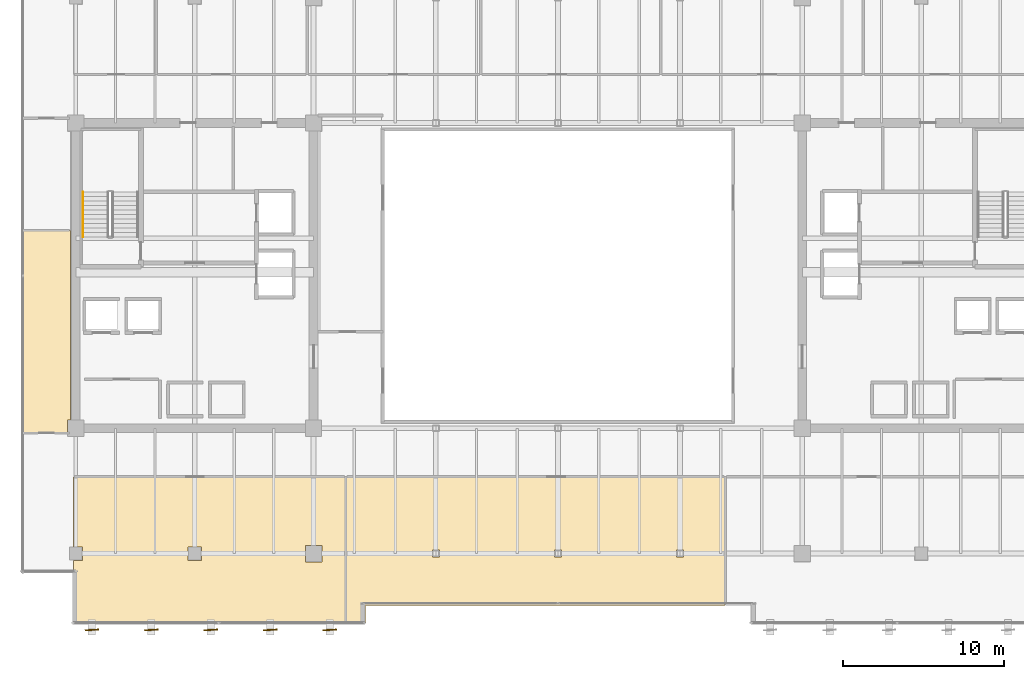
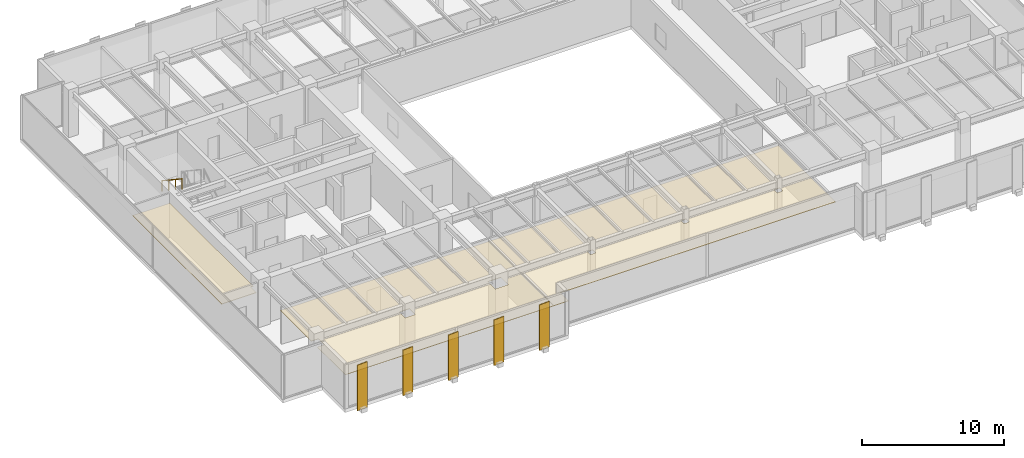
# One storey, part 32 of 35: 5 shading devices, 3 coverings, 1 railing.
"""IFC4 building model written with IfcOpenShell, lengths in metres."""

from ifc_helpers import new_model, si_unit, direction, frame, origin, origin_2d, place, context, subcontext, project, spatial, polyline, rectangle, circle, outline, extrude, source, transform, mapped, material, layer, layer_set, material_profile, profile_set, type_object, type_shapes, element, save


model = new_model("IFC4")

# Units and contexts
model_context = context("Model", 3, precision=1e-05, world=origin(), true_north=direction((0.0, 1.0)))
body_context = subcontext(model_context, "Body", "Model", "MODEL_VIEW")
ifc_project = project(units=[si_unit("LENGTHUNIT", "METRE"), si_unit("AREAUNIT", "SQUARE_METRE"), si_unit("VOLUMEUNIT", "CUBIC_METRE"), si_unit("PLANEANGLEUNIT", "RADIAN"), si_unit("MASSUNIT", "GRAM", prefix="KILO")], contexts=[model_context])

# Site, building, storey
site_placement = place(None, origin())
site = spatial("IfcSite", under=ifc_project, at=site_placement, CompositionType="ELEMENT")
building_placement = place(site_placement, origin())
building = spatial("IfcBuilding", under=site, at=building_placement, Name="Haelvirn Gate Laboratories", CompositionType="ELEMENT")
storey_placement = place(building_placement, frame((0.0, 0.0, 201.39990234375)))
storey = spatial("IfcBuildingStorey", under=building, at=storey_placement, Name="L48", CompositionType="ELEMENT", Elevation=201.39990234375)

# Coverings
ifc_material_1 = material(Name="Micro-perforated acoustic mineral-fibre laboratory ceiling")
ifc_layer = layer(ifc_material_1, 0.0400390625, Name="COV-CEIL-ACT")
ifc_layer_set = layer_set([ifc_layer], Name="Micro-perforated acoustic mineral-fibre laboratory ceiling")
covering_type = type_object("IfcCoveringType", Name="COV-CEIL-ACT", PredefinedType="CEILING", material=ifc_layer_set)
covering_1_placement = place(storey_placement, frame((0.0, 0.0, 2.880126953125)))
element("IfcCovering", 1, at=covering_1_placement, inside=storey, type_object=covering_type, Name="L48 Laboratory Acoustic Ceiling CEIL-SP-L48-S-01", PredefinedType="CEILING", context=body_context, shape_type="SweptSolid", body=[
    extrude(outline(polyline([(7.25, 11.780029296875), (24.179931640625, 11.780029296875), (24.179931640625, 2.64990234375), (7.25, 2.64990234375), (7.25, 6.580078125), (7.820068359375, 6.580078125), (7.820068359375, 7.419921875), (7.25, 7.419921875), (7.25, 11.780029296875)]), holes=[polyline([(14.3798828125, 6.580078125), (15.219970703125, 6.580078125), (15.219970703125, 7.419921875), (14.3798828125, 7.419921875), (14.3798828125, 6.580078125)]), polyline([(21.679931640625, 7.52001953125), (21.679931640625, 6.47998046875), (22.719970703125, 6.47998046875), (22.719970703125, 7.52001953125), (21.679931640625, 7.52001953125)])]), origin(), (0.0, 0.0, 1.0), 0.0400390625),
])
covering_2_placement = place(storey_placement, frame((0.0, 0.0, 2.880126953125)))
element("IfcCovering", 2, at=covering_2_placement, inside=storey, type_object=covering_type, Name="L48 Laboratory Acoustic Ceiling CEIL-SP-L48-S-02", PredefinedType="CEILING", context=body_context, shape_type="SweptSolid", body=[
    extrude(outline(polyline([(24.219970703125, 11.780029296875), (47.780029296875, 11.780029296875), (47.780029296875, 3.780029296875), (25.419921875, 3.780029296875), (25.419921875, 2.64990234375), (24.219970703125, 2.64990234375), (24.219970703125, 11.780029296875)]), holes=[polyline([(29.580078125, 6.780029296875), (30.02001953125, 6.780029296875), (30.02001953125, 7.219970703125), (29.580078125, 7.219970703125), (29.580078125, 6.780029296875)]), polyline([(37.179931640625, 7.219970703125), (37.179931640625, 6.780029296875), (37.6201171875, 6.780029296875), (37.6201171875, 7.219970703125), (37.179931640625, 7.219970703125)]), polyline([(45.219970703125, 7.219970703125), (44.780029296875, 7.219970703125), (44.780029296875, 6.780029296875), (45.219970703125, 6.780029296875), (45.219970703125, 7.219970703125)])]), origin(), (0.0, 0.0, 1.0), 0.0400390625),
])
covering_3_placement = place(storey_placement, frame((0.0, 0.0, 2.880126953125)))
element("IfcCovering", 3, at=covering_3_placement, inside=storey, type_object=covering_type, Name="L48 Laboratory Acoustic Ceiling CEIL-SP-L48-WZ3-S", PredefinedType="CEILING", context=body_context, shape_type="SweptSolid", body=[
    extrude(outline(polyline([(7.080078125, 27.090087890625), (7.080078125, 15.320068359375), (6.8798828125, 15.320068359375), (6.8798828125, 14.52490234375), (4.050048828125, 14.52490234375), (4.050048828125, 27.090087890625), (7.080078125, 27.090087890625)])), origin(), (0.0, 0.0, 1.0), 0.0400390625),
])

# Shading devices
ifc_material_2 = material(Name="Extruded aluminium 6063-T6 (anodised bronze)", Category="aluminium")
ifc_material_profile = material_profile(ifc_material_2, rectangle(XDim=0.074951171875, YDim=0.85009765625, at=origin_2d()), Name="FIN-850x75")
ifc_profile_set = profile_set([ifc_material_profile], Name="Extruded aluminium 6063-T6 (anodised bronze)")
shading_device_type = type_object("IfcShadingDeviceType", Name="SHD-FIN-850", PredefinedType="USERDEFINED", material=ifc_profile_set)
shared_shape_1 = source(origin(), body_context, "Body", "SweptSolid", [
    extrude(rectangle(XDim=0.074951171875, YDim=0.85009765625, at=origin_2d()), origin(), (0.0, 0.0, 1.0), 3.919921875),
])
type_shapes(shading_device_type, [shared_shape_1])
for number, where, z_axis, x_axis, name in (
    (4, (8.39990234375, 2.2548828125, -0.179931640625), (0.0, 0.0, 1.0), (-0.062790519529, 0.998026728428, 0.0), "L48 Fluted Bronze Vertical Fin S01"),
    (5, (12.10009765625, 2.2548828125, -0.179931640625), (0.0, 0.0, 1.0), (-0.062790519529, 0.998026728428, 0.0), "L48 Fluted Bronze Vertical Fin S02"),
    (6, (15.800048828125, 2.2548828125, -0.179931640625), (0.0, 0.0, 1.0), (-0.062790519529, 0.998026728428, 0.0), "L48 Fluted Bronze Vertical Fin S03"),
    (7, (19.5, 2.2548828125, -0.179931640625), (0.0, 0.0, 1.0), (-0.062790519529, 0.998026728428, 0.0), "L48 Fluted Bronze Vertical Fin S04"),
    (8, (23.199951171875, 2.2548828125, -0.179931640625), (0.0, 0.0, 1.0), (-0.062790519529, 0.998026728428, 0.0), "L48 Fluted Bronze Vertical Fin S05"),
):
    element("IfcShadingDevice", number, at=place(storey_placement, frame(where, z_axis=z_axis, x_axis=x_axis)), inside=storey, type_object=shading_device_type, Name=name, ObjectType="FIN", PredefinedType="USERDEFINED", context=body_context, shape_type="MappedRepresentation", body=[
        mapped(shared_shape_1, transform((0.0, 0.0, 0.0), scale=1.0)),
    ])

# Railing
ifc_material_3 = material(Name="Brushed stainless steel 316L", Category="steel")
railing_type = type_object("IfcRailingType", Name="RL-HAND-920", PredefinedType="HANDRAIL", material=ifc_material_3)
shared_shape_2 = source(origin(), body_context, "Body", "SweptSolid", [
    extrude(circle(Radius=0.02392578125, at=origin_2d()), frame((0.0, 0.0, 0.8759765625), z_axis=(0.0, -0.832485552168, 0.554046753832), x_axis=(1.0, 0.0, 0.0)), (0.0, 0.0, 1.0), 3.363525390625),
    extrude(circle(Radius=0.02099609375, at=origin_2d()), origin(), (0.0, 0.0, 1.0), 0.851806640625),
    extrude(circle(Radius=0.02099609375, at=origin_2d()), frame((0.0, -0.933349609375, 0.62109375)), (0.0, 0.0, 1.0), 0.851806640625),
    extrude(circle(Radius=0.02099609375, at=origin_2d()), frame((0.0, -1.86669921875, 1.242431640625)), (0.0, 0.0, 1.0), 0.851806640625),
    extrude(circle(Radius=0.02099609375, at=origin_2d()), frame((0.0, -2.800048828125, 1.863525390625)), (0.0, 0.0, 1.0), 0.851806640625),
])
type_shapes(railing_type, [shared_shape_2])
railing_placement = place(storey_placement, frame((7.85009765625, 29.5, 2.236572265625)))
element("IfcRailing", 9, at=railing_placement, inside=storey, type_object=railing_type, Name="L48 ST1 stair handrail 2", PredefinedType="HANDRAIL", context=body_context, shape_type="MappedRepresentation", body=[
    mapped(shared_shape_2, transform((0.0, 0.0, 0.0), scale=1.0)),
])

save(model, "model.ifc")
